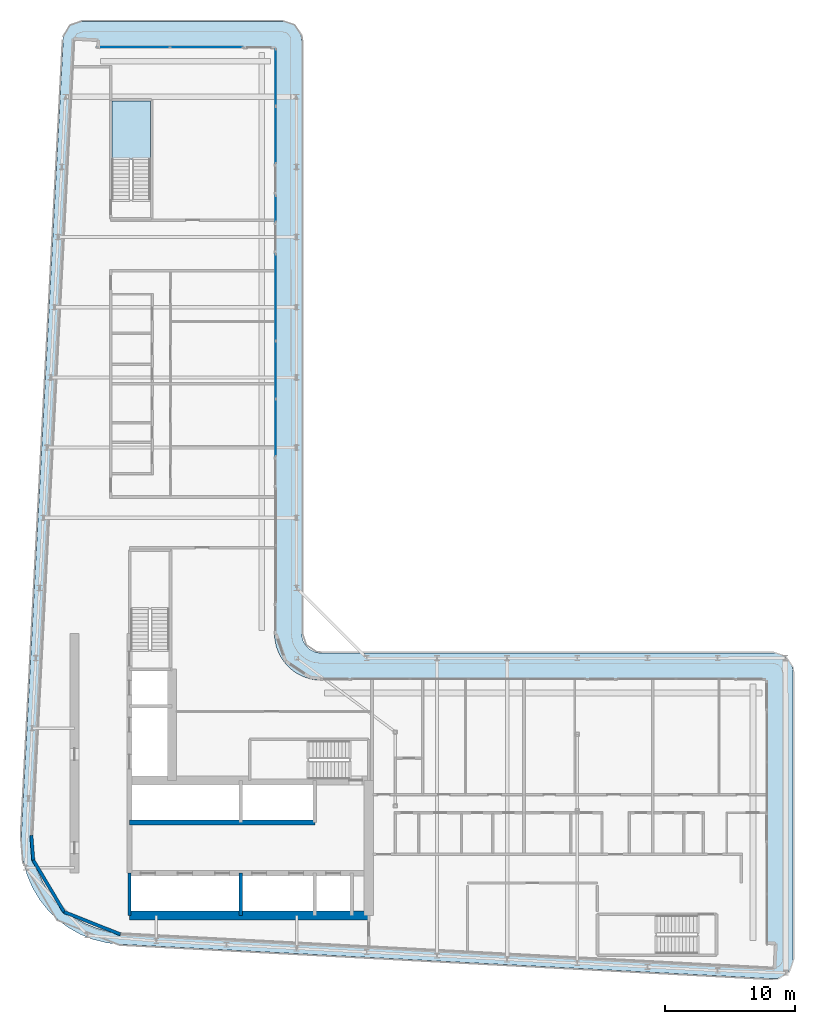
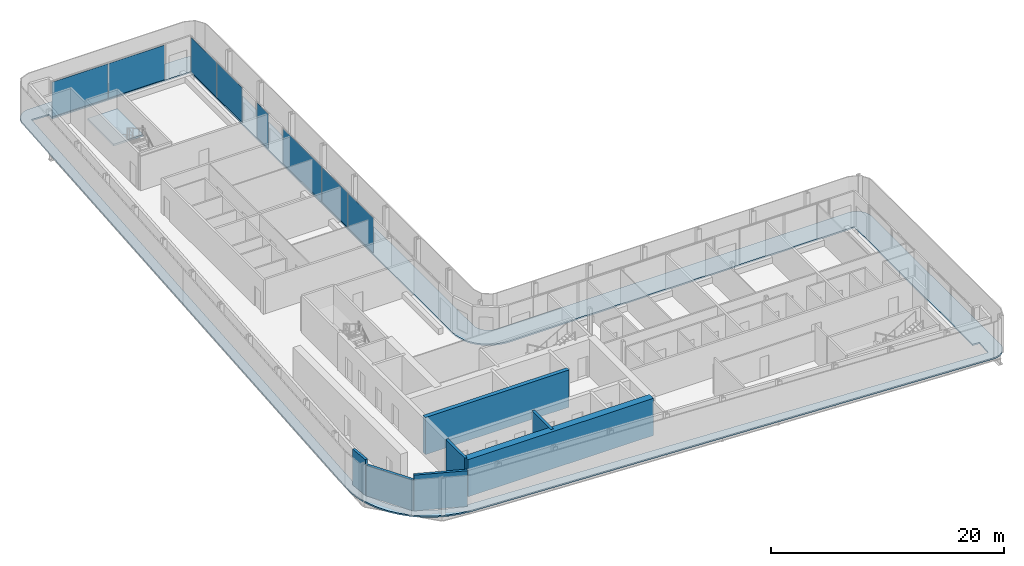
# One storey, part 9 of 21: 8 plates, 7 walls, 2 slabs, 6 elements without a shape of their own.
"""IFC4 building model written with IfcOpenShell, lengths in metres."""

from ifc_helpers import new_model, si_unit, direction, frame, frame_2d, origin, origin_2d, place, context, subcontext, project, spatial, polyline, rectangle, outline, extrude, material, layer, layer_set, type_object, element, aggregate, save


model = new_model("IFC4")

# Units and contexts
model_context = context("Model", 3, precision=1e-05, world=origin(), true_north=direction((0.0, 1.0)))
body_context = subcontext(model_context, "Body", "Model", "MODEL_VIEW")
ifc_project = project(units=[si_unit("LENGTHUNIT", "METRE"), si_unit("AREAUNIT", "SQUARE_METRE"), si_unit("VOLUMEUNIT", "CUBIC_METRE"), si_unit("PLANEANGLEUNIT", "RADIAN"), si_unit("MASSUNIT", "GRAM", prefix="KILO")], contexts=[model_context])

# Site, building, storey
site_placement = place(None, origin())
site = spatial("IfcSite", under=ifc_project, at=site_placement, CompositionType="ELEMENT")
building_placement = place(site_placement, origin())
building = spatial("IfcBuilding", under=site, at=building_placement, Name="Kheshtan School and Residences Tower", CompositionType="ELEMENT")
storey_placement = place(building_placement, frame((0.0, 0.0, 231.800048828125)))
storey = spatial("IfcBuildingStorey", under=building, at=storey_placement, Name="L54", CompositionType="ELEMENT", Elevation=231.800048828125)

# Curtain wall, plates
ifc_material_1 = material(Name="Clear low-e glass in thermally broken aluminium frame", Category="aluminium")
ifc_layer_1 = layer(ifc_material_1, 0.199951171875)
ifc_layer_set_1 = layer_set([ifc_layer_1], Name="Curtain wall CW-L")
curtain_wall_type = type_object("IfcCurtainWallType", Name="Curtain wall CW-L", PredefinedType="NOTDEFINED", material=ifc_layer_set_1)
curtain_wall_1_placement = place(storey_placement, origin())
curtain_wall_1 = element("IfcCurtainWall", 1, at=curtain_wall_1_placement, inside=storey, type_object=curtain_wall_type, Name="Curtain wall CWL3a", PredefinedType="NOTDEFINED")
ifc_layer_2 = layer(ifc_material_1, 0.031982421875)
ifc_layer_set_2 = layer_set([ifc_layer_2], Name="CW-L glass panel")
plate_type = type_object("IfcPlateType", Name="CW-L glass panel", PredefinedType="CURTAIN_PANEL", material=ifc_layer_set_2)
plate_1_placement = place(storey_placement, frame((35.0458984375, 92.60009765625, 0.0), z_axis=(0.0, 0.0, 1.0), x_axis=(1.0, 0.0, 0.0)))
plate_1 = element("IfcPlate", 2, at=plate_1_placement, type_object=plate_type, Name="CWL3a panel 1.1", PredefinedType="CURTAIN_PANEL", context=body_context, shape_type="SweptSolid", body=[
    extrude(rectangle(XDim=5.555908203125, YDim=0.031982421875, at=origin_2d()), origin(), (0.0, 0.0, 1.0), 3.6298828125),
])
plate_2_placement = place(storey_placement, frame((40.662109375, 92.60009765625, 0.0), z_axis=(0.0, 0.0, 1.0), x_axis=(1.0, 0.0, 0.0)))
plate_2 = element("IfcPlate", 3, at=plate_2_placement, type_object=plate_type, Name="CWL3a panel 2.1", PredefinedType="CURTAIN_PANEL", context=body_context, shape_type="SweptSolid", body=[
    extrude(rectangle(XDim=5.555908203125, YDim=0.031982421875, at=origin_2d()), origin(), (0.0, 0.0, 1.0), 3.6298828125),
])
aggregate(curtain_wall_1, [plate_1, plate_2])

curtain_wall_2_placement = place(storey_placement, origin())
curtain_wall_2 = element("IfcCurtainWall", 4, at=curtain_wall_2_placement, inside=storey, type_object=curtain_wall_type, Name="Curtain wall CWL4b", PredefinedType="NOTDEFINED")
plate_3_placement = place(storey_placement, frame((46.0, 90.26806640625, 0.0), z_axis=(0.0, 0.0, 1.0), x_axis=(0.0, -1.0, 0.0)))
plate_3 = element("IfcPlate", 5, at=plate_3_placement, type_object=plate_type, Name="CWL4b panel 1.1", PredefinedType="CURTAIN_PANEL", context=body_context, shape_type="SweptSolid", body=[
    extrude(rectangle(XDim=4.34375, YDim=0.031982421875, at=origin_2d()), origin(), (0.0, 0.0, 1.0), 3.6298828125),
])
plate_4_placement = place(storey_placement, frame((46.0, 85.8642578125, 0.0), z_axis=(0.0, 0.0, 1.0), x_axis=(0.0, -1.0, 0.0)))
plate_4 = element("IfcPlate", 6, at=plate_4_placement, type_object=plate_type, Name="CWL4b panel 2.1", PredefinedType="CURTAIN_PANEL", context=body_context, shape_type="SweptSolid", body=[
    extrude(rectangle(XDim=4.34375, YDim=0.031982421875, at=origin_2d()), origin(), (0.0, 0.0, 1.0), 3.6298828125),
])
aggregate(curtain_wall_2, [plate_3, plate_4])

# Curtain wall, plate
curtain_wall_3_placement = place(storey_placement, origin())
curtain_wall_3 = element("IfcCurtainWall", 7, at=curtain_wall_3_placement, inside=storey, type_object=curtain_wall_type, Name="Curtain wall CWL4c", PredefinedType="NOTDEFINED")
plate_5_placement = place(storey_placement, frame((46.0, 80.1826171875, 0.0), z_axis=(0.0, 0.0, 1.0), x_axis=(0.0, -1.0, 0.0)))
plate_5 = element("IfcPlate", 8, at=plate_5_placement, type_object=plate_type, Name="CWL4c panel 1.1", PredefinedType="CURTAIN_PANEL", context=body_context, shape_type="SweptSolid", body=[
    extrude(rectangle(XDim=1.97998046875, YDim=0.031982421875, at=origin_2d()), origin(), (0.0, 0.0, 1.0), 3.6298828125),
])
aggregate(curtain_wall_3, [plate_5])

curtain_wall_4_placement = place(storey_placement, origin())
curtain_wall_4 = element("IfcCurtainWall", 9, at=curtain_wall_4_placement, inside=storey, type_object=curtain_wall_type, Name="Curtain wall CWL4d", PredefinedType="NOTDEFINED")
plate_6_placement = place(storey_placement, frame((46.0, 73.3486328125, 0.0), z_axis=(0.0, 0.0, 1.0), x_axis=(0.0, -1.0, 0.0)))
plate_6 = element("IfcPlate", 10, at=plate_6_placement, type_object=plate_type, Name="CWL4d panel 1.1", PredefinedType="CURTAIN_PANEL", context=body_context, shape_type="SweptSolid", body=[
    extrude(rectangle(XDim=6.6474609375, YDim=0.031982421875, at=origin_2d()), origin(), (0.0, 0.0, 1.0), 3.6298828125),
])
aggregate(curtain_wall_4, [plate_6])

# Curtain wall, plates
curtain_wall_5_placement = place(storey_placement, origin())
curtain_wall_5 = element("IfcCurtainWall", 11, at=curtain_wall_5_placement, inside=storey, type_object=curtain_wall_type, Name="Curtain wall CWL4b", PredefinedType="NOTDEFINED")
plate_7_placement = place(storey_placement, frame((46.0, 67.76318359375, 0.0), z_axis=(0.0, 0.0, 1.0), x_axis=(0.0, -1.0, 0.0)))
plate_7 = element("IfcPlate", 12, at=plate_7_placement, type_object=plate_type, Name="CWL4b panel 1.1", PredefinedType="CURTAIN_PANEL", context=body_context, shape_type="SweptSolid", body=[
    extrude(rectangle(XDim=4.40380859375, YDim=0.031982421875, at=origin_2d()), origin(), (0.0, 0.0, 1.0), 3.6298828125),
])
plate_8_placement = place(storey_placement, frame((46.0, 63.329345703125, 0.0), z_axis=(0.0, 0.0, 1.0), x_axis=(0.0, -1.0, 0.0)))
plate_8 = element("IfcPlate", 13, at=plate_8_placement, type_object=plate_type, Name="CWL4b panel 2.1", PredefinedType="CURTAIN_PANEL", context=body_context, shape_type="SweptSolid", body=[
    extrude(rectangle(XDim=4.34375, YDim=0.031982421875, at=origin_2d()), origin(), (0.0, 0.0, 1.0), 3.6298828125),
])
aggregate(curtain_wall_5, [plate_7, plate_8])

# Slab
ifc_material_2 = material(Name="Concrete C40/50", Category="concrete")
ifc_layer_3 = layer(ifc_material_2, 0.14990234375)
ifc_layer_set_3 = layer_set([ifc_layer_3], Name="Loggia balcony slab 150 Concrete C40/50")
slab_type_1 = type_object("IfcSlabType", Name="Loggia balcony slab 150 Concrete C40/50", PredefinedType="FLOOR", material=ifc_layer_set_3)
slab_1_placement = place(storey_placement, frame((0.0, 0.0, -0.150146484375)))
element("IfcSlab", 14, at=slab_1_placement, inside=storey, type_object=slab_type_1, Name="Loggia balcony slab L54", PredefinedType="FLOOR", context=body_context, shape_type="SweptSolid", body=[
    extrude(outline(polyline([(28.4580078125, 26.222900390625), (28.45703125, 26.222900390625), (28.45703125, 26.22412109375), (28.4560546875, 26.22412109375), (27.81494140625, 27.0390625), (27.281005859375, 27.93798828125), (26.867919921875, 28.89990234375), (26.583984375, 29.89990234375), (26.583984375, 29.906982421875), (26.43408203125, 30.943115234375), (26.419921875, 31.989013671875), (29.64111328125, 93.178955078125), (29.64697265625, 93.22705078125), (29.64697265625, 93.22802734375), (29.64599609375, 93.22802734375), (29.64599609375, 93.22900390625), (29.64501953125, 93.22900390625), (29.64501953125, 93.22998046875), (29.64404296875, 93.22998046875), (29.64404296875, 93.23095703125), (29.64306640625, 93.23095703125), (29.64306640625, 93.23193359375), (29.64306640625, 93.23291015625), (29.660888671875, 93.381103515625), (29.660888671875, 93.384033203125), (29.660888671875, 93.385009765625), (29.662109375, 93.385009765625), (29.662109375, 93.385986328125), (29.6630859375, 93.385986328125), (29.6630859375, 93.386962890625), (29.6640625, 93.386962890625), (29.6650390625, 93.386962890625), (29.6650390625, 93.387939453125), (29.666015625, 93.387939453125), (29.666015625, 93.388916015625), (29.666015625, 93.39111328125), (29.718994140625, 93.583984375), (29.799072265625, 93.77490234375), (29.905029296875, 93.952880859375), (30.027099609375, 94.10693359375), (30.028076171875, 94.10693359375), (30.028076171875, 94.10791015625), (30.029052734375, 94.10791015625), (30.029052734375, 94.10888671875), (30.030029296875, 94.10888671875), (30.030029296875, 94.110107421875), (30.031005859375, 94.110107421875), (30.031005859375, 94.111083984375), (30.031982421875, 94.111083984375), (30.031982421875, 94.112060546875), (30.032958984375, 94.112060546875), (30.032958984375, 94.113037109375), (30.033935546875, 94.113037109375), (30.0380859375, 94.113037109375), (30.0390625, 94.113037109375), (30.0390625, 94.114013671875), (30.18408203125, 94.257080078125), (30.18505859375, 94.257080078125), (30.18505859375, 94.258056640625), (30.18603515625, 94.258056640625), (30.18603515625, 94.259033203125), (30.18701171875, 94.259033203125), (30.18701171875, 94.260009765625), (30.18798828125, 94.260009765625), (30.18798828125, 94.260986328125), (30.18896484375, 94.260986328125), (30.18896484375, 94.261962890625), (30.18994140625, 94.261962890625), (30.18994140625, 94.262939453125), (30.19091796875, 94.262939453125), (30.19091796875, 94.263916015625), (30.35205078125, 94.376953125), (30.534912109375, 94.472900390625), (30.722900390625, 94.54296875), (30.72998046875, 94.54296875), (30.93310546875, 94.5859375), (31.138916015625, 94.60009765625), (46.5, 94.60009765625), (46.696044921875, 94.5869140625), (46.887939453125, 94.549072265625), (46.89501953125, 94.549072265625), (47.073974609375, 94.486083984375), (47.242919921875, 94.40087890625), (47.243896484375, 94.40087890625), (47.2470703125, 94.40087890625), (47.248046875, 94.40087890625), (47.248046875, 94.402099609375), (47.2490234375, 94.402099609375), (47.2490234375, 94.403076171875), (47.25, 94.403076171875), (47.2529296875, 94.403076171875), (47.25390625, 94.403076171875), (47.25390625, 94.402099609375), (47.2548828125, 94.402099609375), (47.2548828125, 94.40087890625), (47.256103515625, 94.40087890625), (47.256103515625, 94.39990234375), (47.257080078125, 94.39990234375), (47.257080078125, 94.39892578125), (47.258056640625, 94.39892578125), (47.258056640625, 94.39794921875), (47.412109375, 94.2958984375), (47.4130859375, 94.2958984375), (47.4130859375, 94.294921875), (47.4140625, 94.294921875), (47.4140625, 94.2939453125), (47.4140625, 94.2900390625), (47.4140625, 94.2890625), (47.4150390625, 94.2890625), (47.4150390625, 94.2880859375), (47.416015625, 94.2880859375), (47.416015625, 94.287109375), (47.4169921875, 94.287109375), (47.4169921875, 94.285888671875), (47.554931640625, 94.16796875), (47.554931640625, 94.1669921875), (47.555908203125, 94.1669921875), (47.555908203125, 94.166015625), (47.556884765625, 94.166015625), (47.556884765625, 94.1650390625), (47.55810546875, 94.1650390625), (47.55810546875, 94.1640625), (47.55908203125, 94.1640625), (47.55908203125, 94.1630859375), (47.56005859375, 94.1630859375), (47.56005859375, 94.162109375), (47.56103515625, 94.162109375), (47.56201171875, 94.160888671875), (47.56201171875, 94.159912109375), (47.56298828125, 94.159912109375), (47.56298828125, 94.158935546875), (47.56396484375, 94.158935546875), (47.56396484375, 94.157958984375), (47.56494140625, 94.157958984375), (47.56494140625, 94.156982421875), (47.56591796875, 94.156982421875), (47.56591796875, 94.156005859375), (47.56689453125, 94.156005859375), (47.56689453125, 94.155029296875), (47.568115234375, 94.155029296875), (47.68505859375, 94.01806640625), (47.68603515625, 94.01806640625), (47.68603515625, 94.01708984375), (47.68701171875, 94.01708984375), (47.68701171875, 94.01611328125), (47.68798828125, 94.01611328125), (47.68798828125, 94.014892578125), (47.68896484375, 94.014892578125), (47.68896484375, 94.013916015625), (47.68994140625, 94.013916015625), (47.694091796875, 94.013916015625), (47.695068359375, 94.013916015625), (47.695068359375, 94.012939453125), (47.696044921875, 94.012939453125), (47.696044921875, 94.011962890625), (47.797119140625, 93.85888671875), (47.798095703125, 93.85888671875), (47.798095703125, 93.85791015625), (47.799072265625, 93.85791015625), (47.799072265625, 93.85693359375), (47.800048828125, 93.85693359375), (47.800048828125, 93.85595703125), (47.801025390625, 93.85595703125), (47.801025390625, 93.85498046875), (47.802001953125, 93.85498046875), (47.802001953125, 93.85400390625), (47.802978515625, 93.85400390625), (47.802978515625, 93.85302734375), (47.802978515625, 93.85009765625), (47.802978515625, 93.84912109375), (47.802001953125, 93.84912109375), (47.802001953125, 93.847900390625), (47.801025390625, 93.847900390625), (47.801025390625, 93.846923828125), (47.801025390625, 93.843017578125), (47.801025390625, 93.842041015625), (47.885986328125, 93.674072265625), (47.948974609375, 93.4951171875), (47.948974609375, 93.488037109375), (47.987060546875, 93.2958984375), (48.0, 93.10009765625), (48.0, 47.5), (48.012939453125, 47.303955078125), (48.051025390625, 47.113037109375), (48.051025390625, 47.10693359375), (48.051025390625, 47.10595703125), (48.114013671875, 46.926025390625), (48.200927734375, 46.75), (48.31005859375, 46.5869140625), (48.431884765625, 46.444091796875), (48.43310546875, 46.444091796875), (48.43310546875, 46.443115234375), (48.43408203125, 46.443115234375), (48.43408203125, 46.44189453125), (48.43505859375, 46.44189453125), (48.43505859375, 46.44091796875), (48.43603515625, 46.44091796875), (48.43603515625, 46.43994140625), (48.43701171875, 46.43994140625), (48.43701171875, 46.43896484375), (48.43798828125, 46.43896484375), (48.43896484375, 46.43798828125), (48.43896484375, 46.43701171875), (48.43994140625, 46.43701171875), (48.43994140625, 46.43603515625), (48.44091796875, 46.43603515625), (48.44091796875, 46.43505859375), (48.44189453125, 46.43505859375), (48.44189453125, 46.43408203125), (48.443115234375, 46.43408203125), (48.443115234375, 46.43310546875), (48.444091796875, 46.43310546875), (48.444091796875, 46.431884765625), (48.5869140625, 46.31005859375), (48.75, 46.200927734375), (48.926025390625, 46.114013671875), (49.10595703125, 46.051025390625), (49.10693359375, 46.051025390625), (49.113037109375, 46.051025390625), (49.303955078125, 46.012939453125), (49.5, 46.0), (84.300048828125, 46.0), (84.49609375, 45.987060546875), (84.68798828125, 45.948974609375), (84.695068359375, 45.948974609375), (84.8740234375, 45.885986328125), (85.0419921875, 45.801025390625), (85.04296875, 45.801025390625), (85.047119140625, 45.801025390625), (85.048095703125, 45.801025390625), (85.048095703125, 45.802001953125), (85.049072265625, 45.802001953125), (85.049072265625, 45.802978515625), (85.050048828125, 45.802978515625), (85.052978515625, 45.802978515625), (85.053955078125, 45.802978515625), (85.053955078125, 45.802001953125), (85.054931640625, 45.802001953125), (85.054931640625, 45.801025390625), (85.055908203125, 45.801025390625), (85.055908203125, 45.800048828125), (85.056884765625, 45.800048828125), (85.056884765625, 45.799072265625), (85.05810546875, 45.799072265625), (85.05810546875, 45.798095703125), (85.05908203125, 45.798095703125), (85.05908203125, 45.797119140625), (85.06005859375, 45.797119140625), (85.06005859375, 45.7958984375), (85.2119140625, 45.696044921875), (85.212890625, 45.696044921875), (85.212890625, 45.695068359375), (85.214111328125, 45.695068359375), (85.214111328125, 45.694091796875), (85.214111328125, 45.68994140625), (85.214111328125, 45.68896484375), (85.215087890625, 45.68896484375), (85.215087890625, 45.68798828125), (85.216064453125, 45.68798828125), (85.216064453125, 45.68701171875), (85.217041015625, 45.68701171875), (85.217041015625, 45.68603515625), (85.218017578125, 45.68603515625), (85.218017578125, 45.68505859375), (85.218994140625, 45.68505859375), (85.218994140625, 45.68408203125), (85.35498046875, 45.568115234375), (85.35498046875, 45.56689453125), (85.35595703125, 45.56689453125), (85.35595703125, 45.56591796875), (85.35693359375, 45.56591796875), (85.35693359375, 45.56494140625), (85.35791015625, 45.56494140625), (85.35791015625, 45.56396484375), (85.35888671875, 45.56396484375), (85.35888671875, 45.56298828125), (85.360107421875, 45.56298828125), (85.360107421875, 45.56201171875), (85.361083984375, 45.56201171875), (85.362060546875, 45.56103515625), (85.362060546875, 45.56005859375), (85.363037109375, 45.56005859375), (85.363037109375, 45.55908203125), (85.364013671875, 45.55908203125), (85.364013671875, 45.55810546875), (85.364990234375, 45.55810546875), (85.364990234375, 45.556884765625), (85.365966796875, 45.556884765625), (85.365966796875, 45.555908203125), (85.366943359375, 45.555908203125), (85.366943359375, 45.554931640625), (85.367919921875, 45.554931640625), (85.48193359375, 45.4208984375), (85.48291015625, 45.4208984375), (85.48291015625, 45.419921875), (85.48388671875, 45.419921875), (85.48388671875, 45.4189453125), (85.485107421875, 45.4189453125), (85.485107421875, 45.41796875), (85.486083984375, 45.41796875), (85.486083984375, 45.4169921875), (85.487060546875, 45.4169921875), (85.487060546875, 45.416015625), (85.488037109375, 45.416015625), (85.488037109375, 45.4150390625), (85.489013671875, 45.4150390625), (85.489013671875, 45.4140625), (85.489990234375, 45.4140625), (85.493896484375, 45.4140625), (85.4951171875, 45.4140625), (85.4951171875, 45.4130859375), (85.49609375, 45.4130859375), (85.49609375, 45.412109375), (85.593994140625, 45.261962890625), (85.594970703125, 45.261962890625), (85.594970703125, 45.260986328125), (85.595947265625, 45.260986328125), (85.595947265625, 45.260009765625), (85.596923828125, 45.260009765625), (85.596923828125, 45.259033203125), (85.597900390625, 45.259033203125), (85.597900390625, 45.258056640625), (85.59912109375, 45.258056640625), (85.59912109375, 45.257080078125), (85.60009765625, 45.257080078125), (85.60009765625, 45.256103515625), (85.60107421875, 45.256103515625), (85.60107421875, 45.2548828125), (85.60205078125, 45.2548828125), (85.60205078125, 45.25390625), (85.60302734375, 45.25390625), (85.60302734375, 45.2529296875), (85.60302734375, 45.25), (85.60302734375, 45.2490234375), (85.60205078125, 45.2490234375), (85.60205078125, 45.248046875), (85.60107421875, 45.248046875), (85.60107421875, 45.2470703125), (85.60107421875, 45.240966796875), (85.60107421875, 45.239990234375), (85.68603515625, 45.073974609375), (85.7490234375, 44.89501953125), (85.7490234375, 44.887939453125), (85.787109375, 44.696044921875), (85.800048828125, 44.5), (85.800048828125, 22.43408203125), (85.785888671875, 22.23095703125), (85.7451171875, 22.032958984375), (85.7451171875, 22.02587890625), (85.677978515625, 21.841064453125), (85.5859375, 21.660888671875), (85.470947265625, 21.49609375), (85.470947265625, 21.4951171875), (85.470947265625, 21.493896484375), (85.470947265625, 21.492919921875), (85.471923828125, 21.492919921875), (85.471923828125, 21.491943359375), (85.471923828125, 21.489990234375), (85.471923828125, 21.489013671875), (85.470947265625, 21.489013671875), (85.470947265625, 21.488037109375), (85.337890625, 21.343994140625), (85.3349609375, 21.341064453125), (85.333984375, 21.341064453125), (85.333984375, 21.340087890625), (85.3330078125, 21.340087890625), (85.3310546875, 21.340087890625), (85.330078125, 21.340087890625), (85.330078125, 21.341064453125), (85.3291015625, 21.341064453125), (85.327880859375, 21.341064453125), (85.326904296875, 21.341064453125), (85.176025390625, 21.216064453125), (85.00390625, 21.10888671875), (84.819091796875, 21.02587890625), (84.631103515625, 20.968994140625), (84.6240234375, 20.968994140625), (84.424072265625, 20.93896484375), (84.220947265625, 20.93603515625), (33.989013671875, 23.580078125), (33.94189453125, 23.5859375), (33.94091796875, 23.5859375), (33.93994140625, 23.5859375), (33.93994140625, 23.5849609375), (33.93896484375, 23.5849609375), (33.93896484375, 23.583984375), (33.93798828125, 23.583984375), (33.93798828125, 23.5830078125), (33.93701171875, 23.5830078125), (33.93701171875, 23.58203125), (33.93603515625, 23.58203125), (33.93505859375, 23.58203125), (32.952880859375, 23.697998046875), (32.949951171875, 23.697998046875), (32.948974609375, 23.697998046875), (32.948974609375, 23.698974609375), (32.947998046875, 23.698974609375), (32.947998046875, 23.699951171875), (32.947021484375, 23.699951171875), (32.947021484375, 23.700927734375), (32.947021484375, 23.702880859375), (32.947021484375, 23.7041015625), (32.946044921875, 23.7041015625), (32.946044921875, 23.705078125), (32.945068359375, 23.705078125), (32.944091796875, 23.705078125), (31.93603515625, 23.9609375), (31.928955078125, 23.9609375), (30.964111328125, 24.34912109375), (30.051025390625, 24.860107421875), (29.218994140625, 25.47900390625), (29.218994140625, 25.47998046875), (29.218017578125, 25.47998046875), (29.218017578125, 25.48095703125), (29.217041015625, 25.48095703125), (29.217041015625, 25.48193359375), (29.216064453125, 25.48193359375), (29.216064453125, 25.48291015625), (29.215087890625, 25.48291015625), (29.215087890625, 25.48388671875), (29.214111328125, 25.48388671875), (29.214111328125, 25.485107421875), (29.212890625, 25.485107421875), (29.212890625, 25.486083984375), (29.2119140625, 25.486083984375), (28.468017578125, 26.217041015625), (28.468017578125, 26.218017578125), (28.467041015625, 26.218017578125), (28.462890625, 26.218017578125), (28.4619140625, 26.218017578125), (28.4619140625, 26.218994140625), (28.4609375, 26.218994140625), (28.4609375, 26.219970703125), (28.4599609375, 26.219970703125), (28.4599609375, 26.220947265625), (28.458984375, 26.220947265625), (28.458984375, 26.221923828125), (28.4580078125, 26.221923828125), (28.4580078125, 26.222900390625)]), holes=[polyline([(27.466064453125, 30.0869140625), (27.718017578125, 29.200927734375), (28.0849609375, 28.345947265625), (28.55908203125, 27.550048828125), (29.126953125, 26.825927734375), (29.1279296875, 26.825927734375), (29.1279296875, 26.824951171875), (29.12890625, 26.824951171875), (29.12890625, 26.823974609375), (29.1298828125, 26.823974609375), (29.1298828125, 26.822998046875), (29.131103515625, 26.822998046875), (29.131103515625, 26.822021484375), (29.132080078125, 26.822021484375), (29.132080078125, 26.821044921875), (29.133056640625, 26.821044921875), (29.133056640625, 26.820068359375), (29.134033203125, 26.820068359375), (29.7939453125, 26.173095703125), (29.7939453125, 26.172119140625), (29.794921875, 26.172119140625), (29.798095703125, 26.172119140625), (29.799072265625, 26.172119140625), (29.799072265625, 26.1708984375), (29.800048828125, 26.1708984375), (29.800048828125, 26.169921875), (29.801025390625, 26.169921875), (29.801025390625, 26.1689453125), (29.802001953125, 26.1689453125), (29.802001953125, 26.16796875), (29.802978515625, 26.16796875), (29.802978515625, 26.1669921875), (29.803955078125, 26.1669921875), (29.803955078125, 26.166015625), (30.541015625, 25.616943359375), (31.35205078125, 25.1630859375), (32.208984375, 24.819091796875), (32.2099609375, 24.819091796875), (32.216064453125, 24.819091796875), (33.114990234375, 24.590087890625), (34.06591796875, 24.47705078125), (84.238037109375, 21.8359375), (84.264892578125, 21.8369140625), (84.26611328125, 21.8369140625), (84.26708984375, 21.8369140625), (84.26708984375, 21.837890625), (84.26806640625, 21.837890625), (84.26806640625, 21.839111328125), (84.26806640625, 21.840087890625), (84.35791015625, 23.529052734375), (84.35791015625, 23.530029296875), (84.35791015625, 23.531005859375), (84.35693359375, 23.531005859375), (84.35693359375, 23.531982421875), (84.35595703125, 23.531982421875), (84.35498046875, 23.531982421875), (83.700927734375, 23.56689453125), (83.699951171875, 23.56689453125), (83.699951171875, 23.568115234375), (83.699951171875, 43.89794921875), (83.699951171875, 43.89892578125), (83.698974609375, 43.89892578125), (83.698974609375, 43.89990234375), (83.697998046875, 43.89990234375), (49.429931640625, 43.89990234375), (49.030029296875, 43.927001953125), (48.569091796875, 44.01806640625), (48.56201171875, 44.01806640625), (48.1201171875, 44.169921875), (47.697021484375, 44.37890625), (47.30810546875, 44.638916015625), (46.95703125, 44.944091796875), (46.95703125, 44.945068359375), (46.9560546875, 44.945068359375), (46.9560546875, 44.946044921875), (46.955078125, 44.946044921875), (46.955078125, 44.947021484375), (46.9541015625, 44.947021484375), (46.9541015625, 44.947998046875), (46.952880859375, 44.947998046875), (46.952880859375, 44.948974609375), (46.951904296875, 44.948974609375), (46.951904296875, 44.949951171875), (46.951904296875, 44.950927734375), (46.950927734375, 44.950927734375), (46.950927734375, 44.951904296875), (46.949951171875, 44.951904296875), (46.948974609375, 44.951904296875), (46.948974609375, 44.952880859375), (46.947998046875, 44.952880859375), (46.947998046875, 44.9541015625), (46.947021484375, 44.9541015625), (46.947021484375, 44.955078125), (46.946044921875, 44.955078125), (46.946044921875, 44.9560546875), (46.945068359375, 44.9560546875), (46.945068359375, 44.95703125), (46.944091796875, 44.95703125), (46.638916015625, 45.30810546875), (46.37890625, 45.697021484375), (46.169921875, 46.1201171875), (46.01806640625, 46.56201171875), (46.01806640625, 46.569091796875), (45.927001953125, 47.030029296875), (45.89990234375, 47.429931640625), (45.89990234375, 92.498046875), (45.89990234375, 92.4990234375), (45.89892578125, 92.4990234375), (45.89892578125, 92.5), (45.89794921875, 92.5), (32.208984375, 92.5), (32.2080078125, 92.5), (32.237060546875, 93.0390625), (32.237060546875, 93.0400390625), (32.237060546875, 93.041015625), (32.236083984375, 93.041015625), (32.236083984375, 93.0419921875), (32.235107421875, 93.0419921875), (32.23388671875, 93.0419921875), (30.544921875, 93.132080078125), (30.5439453125, 93.132080078125), (30.54296875, 93.132080078125), (30.54296875, 93.131103515625), (30.5419921875, 93.131103515625), (30.5419921875, 93.1298828125), (30.5419921875, 93.12890625), (30.5380859375, 93.10107421875), (27.320068359375, 31.970947265625), (27.3330078125, 31.013916015625), (27.466064453125, 30.093994140625), (27.466064453125, 30.087890625), (27.466064453125, 30.0869140625)])]), origin(), (0.0, 0.0, 1.0), 0.150146484375),
])

# Stair, slab
stair_type = type_object("IfcStairType", Name="Exit stair, half-turn", PredefinedType="HALF_TURN_STAIR", material=ifc_material_2)
stair_placement = place(storey_placement, origin())
stair = element("IfcStair", 15, at=stair_placement, inside=storey, type_object=stair_type, Name="L54 Protected Exit Stair ST3", PredefinedType="HALF_TURN_STAIR")
ifc_layer_4 = layer(ifc_material_2, 0.199951171875)
ifc_layer_set_4 = layer_set([ifc_layer_4], Name="Stair landing 200 Concrete C40/50")
slab_type_2 = type_object("IfcSlabType", Name="Stair landing 200 Concrete C40/50", PredefinedType="LANDING", material=ifc_layer_set_4)
slab_2_placement = place(storey_placement, frame((0.0, 0.0, 1.75)))
slab_2 = element("IfcSlab", 16, at=slab_2_placement, type_object=slab_type_2, Name="ST3 landing 1", PredefinedType="LANDING", context=body_context, shape_type="SweptSolid", body=[
    extrude(outline(polyline([(36.35009765625, 83.97998046875), (36.35009765625, 88.4599609375), (33.39990234375, 88.4599609375), (33.39990234375, 83.97998046875), (36.35009765625, 83.97998046875)])), origin(), (0.0, 0.0, 1.0), 0.199951171875),
])
aggregate(stair, [slab_2])

# Walls
ifc_material_3 = material(Name="Concrete C50/60", Category="concrete")
ifc_layer_5 = layer(ifc_material_3, 0.39990234375)
ifc_layer_set_5 = layer_set([ifc_layer_5], Name="Core wall 400 Concrete C50/60")
wall_type_1 = type_object("IfcWallType", Name="Core wall 400 Concrete C50/60", PredefinedType="SHEAR", material=ifc_layer_set_5)
wall_1_placement = place(storey_placement, frame((34.75, 32.949951171875, 0.0), z_axis=(0.0, 0.0, 1.0), x_axis=(1.0, 0.0, 0.0)))
element("IfcWall", 17, at=wall_1_placement, inside=storey, type_object=wall_type_1, Name="Core wall CW-HALL-S2", PredefinedType="SHEAR", context=body_context, shape_type="SweptSolid", body=[
    extrude(rectangle(XDim=14.25, YDim=0.39990234375, at=frame_2d((7.125, 0.0))), origin(), (0.0, 0.0, 1.0), 3.89990234375),
])
ifc_material_4 = material(Name="Concrete C70/85", Category="concrete")
ifc_layer_6 = layer(ifc_material_4, 0.699951171875)
ifc_layer_set_6 = layer_set([ifc_layer_6], Name="Core wall 700 Concrete C70/85")
wall_type_2 = type_object("IfcWallType", Name="Core wall 700 Concrete C70/85", PredefinedType="SHEAR", material=ifc_layer_set_6)
wall_2_placement = place(storey_placement, frame((34.75, 25.800048828125, 0.0), z_axis=(0.0, 0.0, 1.0), x_axis=(1.0, 0.0, 0.0)))
element("IfcWall", 18, at=wall_2_placement, inside=storey, type_object=wall_type_2, Name="Core wall CW-REAR-S", PredefinedType="SHEAR", context=body_context, shape_type="SweptSolid", body=[
    extrude(rectangle(XDim=18.39990234375, YDim=0.699951171875, at=frame_2d((9.199951171875, 0.0))), origin(), (0.0, 0.0, 1.0), 3.89990234375),
])
ifc_material_5 = material(Name="Concrete C40/50 with ceramic cladding and mineral wool insulation", Category="concrete")
ifc_layer_7 = layer(ifc_material_5, 0.25)
ifc_layer_set_7 = layer_set([ifc_layer_7], Name="External wall 250 ceramic clad")
wall_type_3 = type_object("IfcWallType", Name="External wall 250 ceramic clad", PredefinedType="SOLIDWALL", material=ifc_layer_set_7)
wall_3_placement = place(storey_placement, frame((34.0390625, 24.35302734375, 0.0), z_axis=(0.0, 0.0, 1.0), x_axis=(-0.929352825399, 0.369192803184, 0.0)))
element("IfcWall", 19, at=wall_3_placement, inside=storey, type_object=wall_type_3, Name="External wall L54 13", PredefinedType="SOLIDWALL", context=body_context, shape_type="SweptSolid", body=[
    extrude(rectangle(XDim=4.656005859375, YDim=0.25, at=frame_2d((2.328125, 0.0))), origin(), (0.0, 0.0, 1.0), 3.75),
])
wall_4_placement = place(storey_placement, frame((29.7119140625, 26.072021484375, 0.0), z_axis=(0.0, 0.0, 1.0), x_axis=(-0.511028049012, 0.859564036662, 0.0)))
element("IfcWall", 20, at=wall_4_placement, inside=storey, type_object=wall_type_3, Name="External wall L54 14", PredefinedType="SOLIDWALL", context=body_context, shape_type="SweptSolid", body=[
    extrude(rectangle(XDim=4.633544921875, YDim=0.25, at=frame_2d((2.31689453125, 0.0))), origin(), (0.0, 0.0, 1.0), 3.217041015625),
])
wall_5_placement = place(storey_placement, frame((27.343994140625, 30.054931640625, 0.0), z_axis=(0.0, 0.0, 1.0), x_axis=(-0.077571675317, 0.99698677784, 0.0)))
element("IfcWall", 21, at=wall_5_placement, inside=storey, type_object=wall_type_3, Name="External wall L54 15", PredefinedType="SOLIDWALL", context=body_context, shape_type="SweptSolid", body=[
    extrude(rectangle(XDim=1.919921875, YDim=0.25, at=frame_2d((0.9599609375, 0.0))), origin(), (0.0, 0.0, 1.0), 3.75),
])
ifc_material_6 = material(Name="Fire-board shaft wall system")
ifc_layer_8 = layer(ifc_material_6, 0.25)
ifc_layer_set_8 = layer_set([ifc_layer_8], Name="Shaft lining wall 250")
wall_type_4 = type_object("IfcWallType", Name="Shaft lining wall 250", PredefinedType="PARTITIONING", material=ifc_layer_set_8)
for number, where, z_axis, x_axis, name in (
    (22, (34.75, 25.800048828125, 0.0), (0.0, 0.0, 1.0), (0.0, 1.0, 0.0), "Shaft lining wall"),
    (23, (43.300048828125, 25.800048828125, 0.0), (0.0, 0.0, 1.0), (0.0, 1.0, 0.0), "Shaft lining wall"),
):
    element("IfcWall", number, at=place(storey_placement, frame(where, z_axis=z_axis, x_axis=x_axis)), inside=storey, type_object=wall_type_4, Name=name, PredefinedType="PARTITIONING", context=body_context, shape_type="SweptSolid", body=[
        extrude(rectangle(XDim=3.25, YDim=0.25, at=frame_2d((1.625, 0.0))), origin(), (0.0, 0.0, 1.0), 3.89990234375),
    ])

save(model, "model.ifc")
